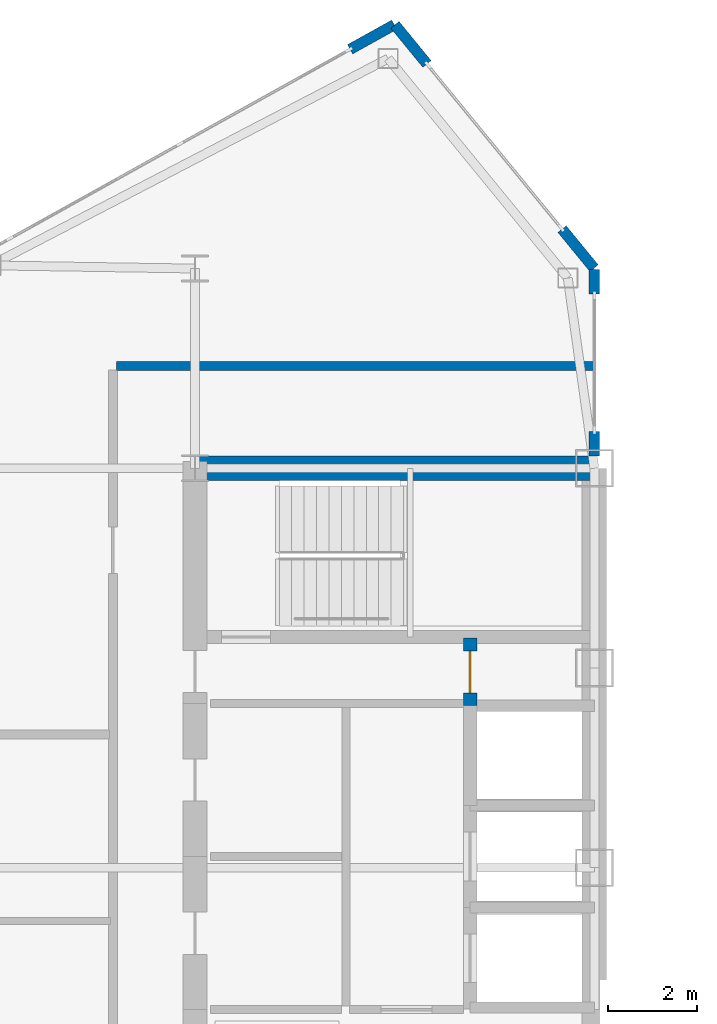
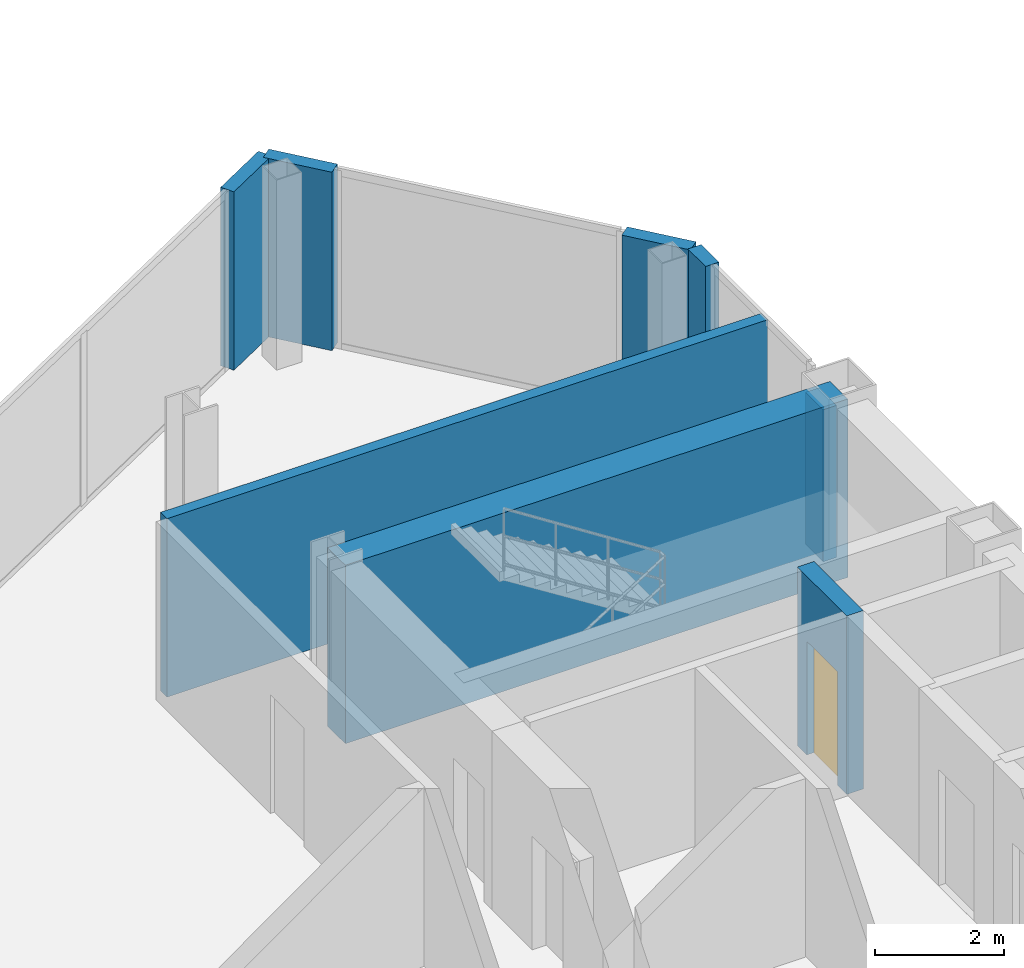
# One storey, part 21 of 26: 8 walls, 1 door, 1 opening.
"""IFC4 building model written with IfcOpenShell, lengths in metres."""

import ifcopenshell
import ifcopenshell.guid

model = None  # the IFC model being written
_history = None  # IfcOwnerHistory: only IFC2X3 demands one
_inside = {}  # id of a spatial element -> (the spatial element, [elements in it])
_under = {}  # id of a project, library or spatial element -> (it, [spatial elements below it])
_declared = {}  # id of a project -> (the project, [libraries it declares])
_typed = {}  # id of a type object -> (the type object, [elements of that type])
_made_of = {}  # id of a material, layer set ... -> (it, [elements and type objects made of it])


def new_model(schema):
    """Start an empty IFC model of exactly this schema.

    Asked for "IFC4X3", IfcOpenShell would pick the latest addendum, in which some entities
    have other attributes; the version numbers below select the first issue.
    IFC2X3 requires an IfcOwnerHistory on every rooted entity: one is made here for all.
    """
    global model, _history
    if schema == "IFC4X3":
        model = ifcopenshell.file(schema_version=(4, 3, 0, 0))
    else:
        model = ifcopenshell.file(schema=schema)
    _inside.clear()
    _under.clear()
    _declared.clear()
    _typed.clear()
    _made_of.clear()
    _history = None
    if model.schema == "IFC2X3":
        org = make("IfcOrganization", Name="unknown")
        user = make(
            "IfcPersonAndOrganization",
            ThePerson=make("IfcPerson", FamilyName="unknown"),
            TheOrganization=org,
        )
        app = make(
            "IfcApplication",
            ApplicationDeveloper=org,
            Version="unknown",
            ApplicationFullName="unknown",
            ApplicationIdentifier="unknown",
        )
        _history = make(
            "IfcOwnerHistory",
            OwningUser=user,
            OwningApplication=app,
            ChangeAction="ADDED",
            CreationDate=0,
        )
    return model


def make(cls, **values):
    """One entity of the class cls with the attributes given. An attribute that is None is left unset."""
    return model.create_entity(
        cls, **{name: value for name, value in values.items() if value is not None}
    )


def rooted(cls, **values):
    """An entity with a GlobalId (a new one), such as an element, a storey or a relation."""
    return make(cls, GlobalId=ifcopenshell.guid.new(), OwnerHistory=_history, **values)


def si_unit(unit_type, name, prefix=None):
    """IfcSIUnit, for example si_unit("LENGTHUNIT", "METRE", prefix="MILLI")."""
    return make("IfcSIUnit", UnitType=unit_type, Prefix=prefix, Name=name)


def assignment(units):
    """IfcUnitAssignment: the units of a project."""
    return None if units is None else make("IfcUnitAssignment", Units=units)


def point(xyz):
    """IfcCartesianPoint."""
    return None if xyz is None else make("IfcCartesianPoint", Coordinates=xyz)


def direction(xyz):
    """IfcDirection."""
    return None if xyz is None else make("IfcDirection", DirectionRatios=xyz)


def frame(location, z_axis=None, x_axis=None):
    """IfcAxis2Placement3D, a coordinate frame: its origin and axes. An axis left out is left unset."""
    return make(
        "IfcAxis2Placement3D",
        Location=point(location),
        Axis=direction(z_axis),
        RefDirection=direction(x_axis),
    )


def frame_2d(location, x_axis=None):
    """IfcAxis2Placement2D, a coordinate frame in the plane: its origin and x axis."""
    return make(
        "IfcAxis2Placement2D", Location=point(location), RefDirection=direction(x_axis)
    )


def origin():
    """The frame at (0, 0, 0) with its axes left unset."""
    return frame((0.0, 0.0, 0.0))


def place(relative_to, where):
    """IfcLocalPlacement: puts the frame where relative to a parent placement (None: the world)."""
    return make(
        "IfcLocalPlacement", PlacementRelTo=relative_to, RelativePlacement=where
    )


def context(
    kind, dimensions, precision=None, world=None, true_north=None, identifier=None
):
    """IfcGeometricRepresentationContext, for example the 3D "Model" context."""
    return make(
        "IfcGeometricRepresentationContext",
        ContextIdentifier=identifier,
        ContextType=kind,
        CoordinateSpaceDimension=dimensions,
        Precision=precision,
        WorldCoordinateSystem=world,
        TrueNorth=true_north,
    )


def subcontext(parent, identifier, kind, view, scale=None):
    """IfcGeometricRepresentationSubContext, for example "Body" below "Model"."""
    return make(
        "IfcGeometricRepresentationSubContext",
        ContextIdentifier=identifier,
        ContextType=kind,
        ParentContext=parent,
        TargetScale=scale,
        TargetView=view,
    )


def project(units=None, contexts=None):
    """IfcProject with its units and contexts."""
    return rooted(
        "IfcProject",
        Name="project",
        RepresentationContexts=contexts,
        UnitsInContext=assignment(units),
    )


def spatial(cls, under=None, at=None, **own):
    """A site, building, storey or space (cls), placed at a placement, below another one or the project."""
    s = rooted(cls, ObjectPlacement=at, **own)
    if under is not None:
        _under.setdefault(under.id(), (under, []))[1].append(s)
    return s


def profile(cls, at=None, kind="AREA", **sizes):
    """A parametric profile (cls). Its sizes go by their IFC names, for example OverallWidth=200.0."""
    return make(cls, ProfileType=kind, Position=at, **sizes)


def rectangle(**sizes):
    """IfcRectangleProfileDef."""
    return profile("IfcRectangleProfileDef", **sizes)


def extrude(swept, where, along, depth):
    """IfcExtrudedAreaSolid: the profile swept, set in the frame where, extruded along a direction by depth."""
    return make(
        "IfcExtrudedAreaSolid",
        SweptArea=swept,
        Position=where,
        ExtrudedDirection=direction(along),
        Depth=depth,
    )


def shape(context_of_items, identifier, shape_type, items):
    """IfcShapeRepresentation: the items that make up one representation, for example the "Body"."""
    return make(
        "IfcShapeRepresentation",
        ContextOfItems=context_of_items,
        RepresentationIdentifier=identifier,
        RepresentationType=shape_type,
        Items=items,
    )


def source(mapping_origin, context_of_items, identifier, shape_type, items):
    """IfcRepresentationMap: a shape defined once, which mapped items show again and again."""
    return make(
        "IfcRepresentationMap",
        MappingOrigin=mapping_origin,
        MappedRepresentation=shape(context_of_items, identifier, shape_type, items),
    )


def transform(
    local_origin,
    x_axis=None,
    y_axis=None,
    z_axis=None,
    scale=None,
    scale2=None,
    scale3=None,
    uniform=True,
):
    """IfcCartesianTransformationOperator3D, or its non-uniform kind. x_axis, y_axis, z_axis: its Axis1, 2, 3."""
    if uniform:
        return make(
            "IfcCartesianTransformationOperator3D",
            Axis1=direction(x_axis),
            Axis2=direction(y_axis),
            LocalOrigin=point(local_origin),
            Scale=scale,
            Axis3=direction(z_axis),
        )
    return make(
        "IfcCartesianTransformationOperator3DnonUniform",
        Axis1=direction(x_axis),
        Axis2=direction(y_axis),
        LocalOrigin=point(local_origin),
        Scale=scale,
        Axis3=direction(z_axis),
        Scale2=scale2,
        Scale3=scale3,
    )


def mapped(mapping_source, mapping_target):
    """IfcMappedItem: shows the shape of a source again, moved by a transform."""
    return make(
        "IfcMappedItem", MappingSource=mapping_source, MappingTarget=mapping_target
    )


def material(Name=None, Category=None):
    """IfcMaterial."""
    return make("IfcMaterial", Name=Name, Category=Category)


def layer(
    of_material, thickness, ventilated=None, Name=None, Category=None, Priority=None
):
    """IfcMaterialLayer: one layer of a wall or slab, of a material (None: an air gap)."""
    return make(
        "IfcMaterialLayer",
        Material=of_material,
        LayerThickness=thickness,
        IsVentilated=ventilated,
        Name=Name,
        Category=Category,
        Priority=Priority,
    )


def layer_set(layers, Name=None):
    """IfcMaterialLayerSet."""
    return make("IfcMaterialLayerSet", MaterialLayers=layers, LayerSetName=Name)


def made_of(thing, what):
    """Note that an element or type object is made of a material, layer set ...; save() writes the relation."""
    if what is not None:
        _made_of.setdefault(what.id(), (what, []))[1].append(thing)
    return thing


def type_object(cls, material=None, **own):
    """A type object (cls), such as IfcWallType, which elements share."""
    return made_of(rooted(cls, **own), material)


def type_shapes(of_type, sources):
    """Give a type object the sources (RepresentationMaps) that its elements show as mapped items."""
    of_type.RepresentationMaps = sources


def element(
    cls,
    number,
    at=None,
    inside=None,
    cuts=None,
    type_object=None,
    material=None,
    context=None,
    identifier="Body",
    shape_type=None,
    held_by="IfcProductDefinitionShape",
    body=None,
    shapes=None,
    **own,
):
    """One element of the class cls, such as IfcWall. Its Tag is "e" and its number.

    at: its placement. inside: the storey or other place that contains it. cuts: it is an
    opening in that element (IfcRelVoidsElement). A single representation is given by context,
    identifier, shape_type and body (its items); several are given by shapes. held_by: the class
    of the entity that holds the representations. save() writes the other relations.
    """
    e = rooted(cls, Tag="e%d" % number, ObjectPlacement=at, **own)
    if body is not None:
        shapes = [shape(context, identifier, shape_type, body)]
    if shapes is not None:
        e.Representation = make(held_by, Representations=shapes)
    if inside is not None:
        _inside.setdefault(inside.id(), (inside, []))[1].append(e)
    if cuts is not None:
        rooted(
            "IfcRelVoidsElement", RelatingBuildingElement=cuts, RelatedOpeningElement=e
        )
    if type_object is not None:
        _typed.setdefault(type_object.id(), (type_object, []))[1].append(e)
    return made_of(e, material)


def fill(opening, filler):
    """IfcRelFillsElement: the door or window that sits in an opening."""
    return rooted(
        "IfcRelFillsElement",
        RelatingOpeningElement=opening,
        RelatedBuildingElement=filler,
    )


def aggregate(whole, parts):
    """IfcRelAggregates: a whole, such as a stair, and the parts it consists of."""
    return rooted("IfcRelAggregates", RelatingObject=whole, RelatedObjects=parts)


def save(model, path):
    """Write the relations noted so far, then the file.

    IfcRelAggregates (storeys below a building ...), IfcRelContainedInSpatialStructure (elements
    in a storey), IfcRelDefinesByType, IfcRelAssociatesMaterial and IfcRelDeclares: one each for
    every whole, place, type object, material and project.
    """
    for whole, parts in _under.values():
        aggregate(whole, parts)
    for where, things in _inside.values():
        rooted(
            "IfcRelContainedInSpatialStructure",
            RelatedElements=things,
            RelatingStructure=where,
        )
    for kind, things in _typed.values():
        rooted("IfcRelDefinesByType", RelatedObjects=things, RelatingType=kind)
    for what, things in _made_of.values():
        rooted("IfcRelAssociatesMaterial", RelatedObjects=things, RelatingMaterial=what)
    for by, libraries in _declared.values():
        rooted("IfcRelDeclares", RelatingContext=by, RelatedDefinitions=libraries)
    model.write(path)


model = new_model("IFC4")

# Units and contexts
model_context = context("Model", 3, precision=1e-05, world=origin(), true_north=direction((0.0, 1.0)))
body_context = subcontext(model_context, "Body", "Model", "MODEL_VIEW")
ifc_project = project(units=[si_unit("LENGTHUNIT", "METRE"), si_unit("AREAUNIT", "SQUARE_METRE"), si_unit("VOLUMEUNIT", "CUBIC_METRE"), si_unit("PLANEANGLEUNIT", "RADIAN"), si_unit("MASSUNIT", "GRAM", prefix="KILO")], contexts=[model_context])

# Site, building, storey
site_placement = place(None, origin())
site = spatial("IfcSite", under=ifc_project, at=site_placement, CompositionType="ELEMENT")
building_placement = place(site_placement, origin())
building = spatial("IfcBuilding", under=site, at=building_placement, Name="Seokmaru Belvedere", CompositionType="ELEMENT")
storey_placement = place(building_placement, frame((0.0, 0.0, 181.5)))
storey = spatial("IfcBuildingStorey", under=building, at=storey_placement, Name="L48", CompositionType="ELEMENT", Elevation=181.5)

# Wall
ifc_material_1 = material(Name="Fire-Rated Gypsum Shaftwall")
ifc_layer_1 = layer(ifc_material_1, 0.199951171875)
ifc_layer_set_1 = layer_set([ifc_layer_1], Name="Fire-Rated Gypsum Shaftwall")
wall_type_1 = type_object("IfcWallType", Name="Inter-Tenancy Fire Compartment Partition 200", PredefinedType="PARTITIONING", material=ifc_layer_set_1)
wall_1_placement = place(storey_placement, frame((-38.264892578125, 15.800048828125, 0.0), z_axis=(0.0, 0.0, 1.0), x_axis=(1.0, 0.0, 0.0)))
element("IfcWall", 1, at=wall_1_placement, inside=storey, type_object=wall_type_1, Name="L48 Interior Partition 014", PredefinedType="PARTITIONING", context=body_context, shape_type="SweptSolid", body=[
    extrude(rectangle(XDim=10.764892578125, YDim=0.199951171875, at=frame_2d((5.38232421875, 0.0))), origin(), (0.0, 0.0, 1.0), 3.3798828125),
])

# Wall, opening, door
ifc_material_2 = material(Name="Concrete C50 (50 MPa)", Category="concrete")
ifc_layer_2 = layer(ifc_material_2, 0.300048828125)
ifc_layer_set_2 = layer_set([ifc_layer_2], Name="Concrete C50 (50 MPa)")
wall_type_2 = type_object("IfcWallType", Name="Internal Core Stair and Hoistway Wall 300", PredefinedType="SHEAR", material=ifc_layer_set_2)
wall_2_placement = place(storey_placement, frame((-30.300048828125, 8.14990234375, 0.0), z_axis=(0.0, 0.0, 1.0), x_axis=(0.0, 1.0, 0.0)))
wall_2 = element("IfcWall", 2, at=wall_2_placement, inside=storey, type_object=wall_type_2, Name="L48 West Electrical Riser Front Wall", PredefinedType="SHEAR", context=body_context, shape_type="SweptSolid", body=[
    extrude(rectangle(XDim=1.530029296875, YDim=0.300048828125, at=frame_2d((0.76513671875, 0.0))), origin(), (0.0, 0.0, 1.0), 3.3798828125),
])
opening_placement = place(wall_2_placement, frame((0.284912109375, 0.0, 0.0)))
opening = element("IfcOpeningElement", 3, at=opening_placement, cuts=wall_2, Name="Opening D04", PredefinedType="OPENING", context=body_context, shape_type="SweptSolid", body=[
    extrude(rectangle(XDim=0.949951171875, YDim=2.14990234375, at=frame_2d((0.47509765625, 1.074951171875))), frame((0.0, 0.16015625, 0.0), z_axis=(0.0, -1.0, 0.0), x_axis=(1.0, 0.0, 0.0)), (0.0, 0.0, 1.0), 0.320068359375),
])
ifc_material_3 = material(Name="Fire-Rated Steel Leaf", Category="steel")
door_type = type_object("IfcDoorType", Name="Core Service Room Fire Door 950x2150", OperationType="NOTDEFINED", PredefinedType="DOOR", material=ifc_material_3)
shared_shape = source(origin(), body_context, "Body", "SweptSolid", [
    extrude(rectangle(XDim=0.949951171875, YDim=2.14990234375, at=frame_2d((0.47509765625, 1.074951171875))), frame((0.0, 0.02490234375, 0.0), z_axis=(0.0, -1.0, 0.0), x_axis=(1.0, 0.0, 0.0)), (0.0, 0.0, 1.0), 0.050048828125),
])
type_shapes(door_type, [shared_shape])
door_placement = place(opening_placement, origin())
door = element("IfcDoor", 4, at=door_placement, inside=storey, type_object=door_type, Name="L48 West Electrical Riser Access Door", OperationType="SINGLE_SWING_LEFT", OverallHeight=2.14990234375, OverallWidth=0.949951171875, PredefinedType="DOOR", context=body_context, shape_type="MappedRepresentation", body=[
    mapped(shared_shape, transform((0.0, 0.0, 0.0), scale=1.0)),
])
fill(opening, door)

# Walls
ifc_layer_3 = layer(ifc_material_2, 0.550048828125)
ifc_layer_set_3 = layer_set([ifc_layer_3], Name="Concrete C50 (50 MPa)")
wall_type_3 = type_object("IfcWallType", Name="Mid-High Reinforced Concrete Core Wall 550", PredefinedType="SHEAR", material=ifc_layer_set_3)
wall_3_placement = place(storey_placement, frame((-36.5, 13.5, 0.0), z_axis=(0.0, 0.0, 1.0), x_axis=(1.0, 0.0, 0.0)))
element("IfcWall", 5, at=wall_3_placement, inside=storey, type_object=wall_type_3, Name="L48 West North Core Wall", PredefinedType="SHEAR", context=body_context, shape_type="SweptSolid", body=[
    extrude(rectangle(XDim=9.0, YDim=0.550048828125, at=frame_2d((4.5, 0.0))), origin(), (0.0, 0.0, 1.0), 3.3798828125),
])
ifc_material_4 = material(Name="Anodised Bronze Aluminium", Category="aluminium")
ifc_layer_4 = layer(ifc_material_4, 0.239990234375)
ifc_layer_set_4 = layer_set([ifc_layer_4], Name="Anodised Bronze Aluminium")
wall_type_4 = type_object("IfcWallType", Name="Tower Corner Spandrel Closure Wall 240", PredefinedType="SOLIDWALL", material=ifc_layer_set_4)
wall_4_placement = place(storey_placement, frame((-27.5, 13.780029296875, 0.0), z_axis=(0.0, 0.0, 1.0), x_axis=(0.0, 1.0, 0.0)))
element("IfcWall", 6, at=wall_4_placement, inside=storey, type_object=wall_type_4, Name="L48 W Spine Closure Pier 2A", PredefinedType="SOLIDWALL", context=body_context, shape_type="SweptSolid", body=[
    extrude(rectangle(XDim=0.550048828125, YDim=0.239990234375, at=frame_2d((0.27490234375, 0.0))), origin(), (0.0, 0.0, 1.0), 2.8798828125),
])
wall_5_placement = place(storey_placement, frame((-27.5, 17.429931640625, 0.0), z_axis=(0.0, 0.0, 1.0), x_axis=(0.0, 1.0, 0.0)))
element("IfcWall", 7, at=wall_5_placement, inside=storey, type_object=wall_type_4, Name="L48 W Spine Closure Pier 2B", PredefinedType="SOLIDWALL", context=body_context, shape_type="SweptSolid", body=[
    extrude(rectangle(XDim=0.550048828125, YDim=0.239990234375, at=frame_2d((0.27490234375, 0.0))), origin(), (0.0, 0.0, 1.0), 3.3798828125),
])
for number, where, z_axis, x_axis, name in (
    (8, (-27.50634765625, 18.0078125, 0.0), (0.0, 0.0, 1.0), (-0.633249451965, 0.77394775766, 0.0), "L48 W Corner Closure Pier 2A"),
    (9, (-31.271728515625, 22.60986328125, 0.0), (0.0, 0.0, 1.0), (-0.633249451965, 0.77394775766, 0.0), "L48 W Corner Closure Pier 2B"),
):
    element("IfcWall", number, at=place(storey_placement, frame(where, z_axis=z_axis, x_axis=x_axis)), inside=storey, type_object=wall_type_4, Name=name, PredefinedType="SOLIDWALL", context=body_context, shape_type="SweptSolid", body=[
        extrude(rectangle(XDim=1.14013671875, YDim=0.239990234375, at=frame_2d((0.570068359375, 0.0))), origin(), (0.0, 0.0, 1.0), 3.3798828125),
    ])
wall_6_placement = place(storey_placement, frame((-32.0087890625, 23.4951171875, 0.0), z_axis=(0.0, 0.0, 1.0), x_axis=(-0.87385402111, -0.486188389196, 0.0)))
element("IfcWall", 10, at=wall_6_placement, inside=storey, type_object=wall_type_4, Name="L48 W Corner Closure Pier 3A", PredefinedType="SOLIDWALL", context=body_context, shape_type="SweptSolid", body=[
    extrude(rectangle(XDim=1.139892578125, YDim=0.239990234375, at=frame_2d((0.56982421875, 0.0))), origin(), (0.0, 0.0, 1.0), 3.3798828125),
])

save(model, "model.ifc")
